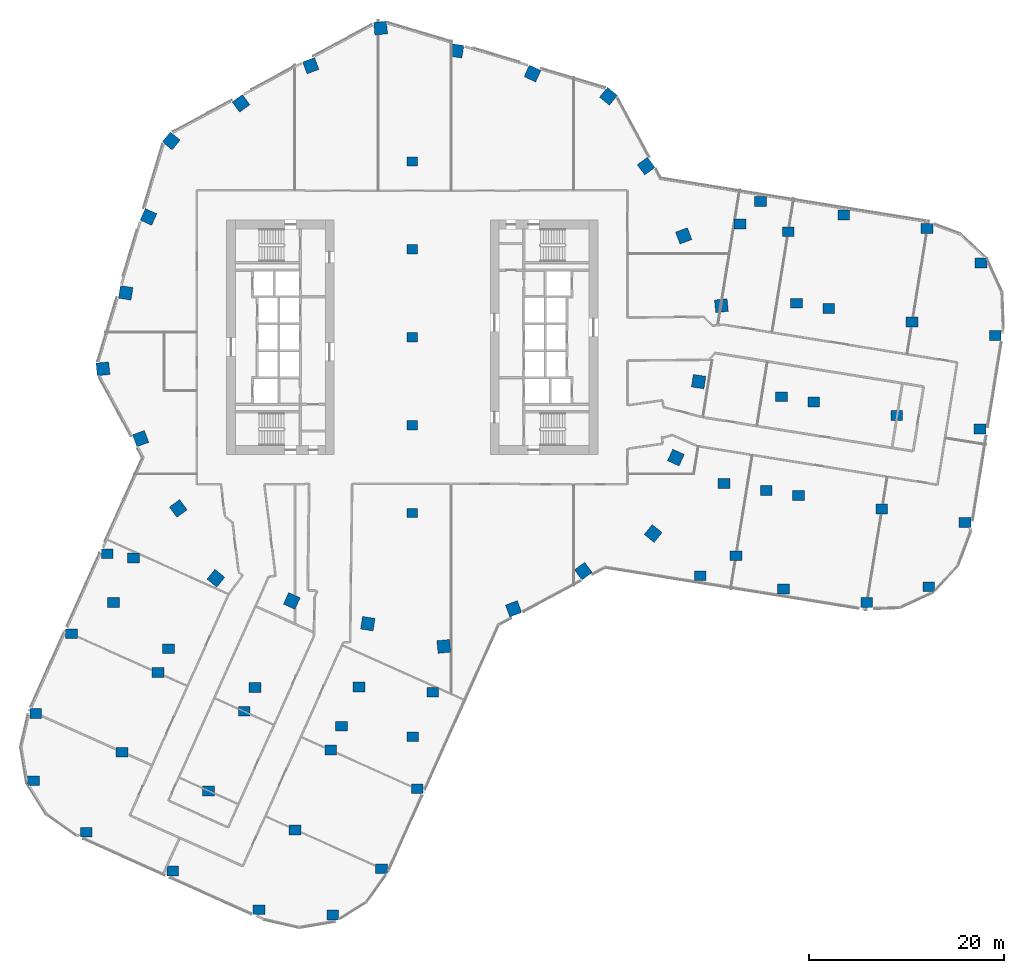
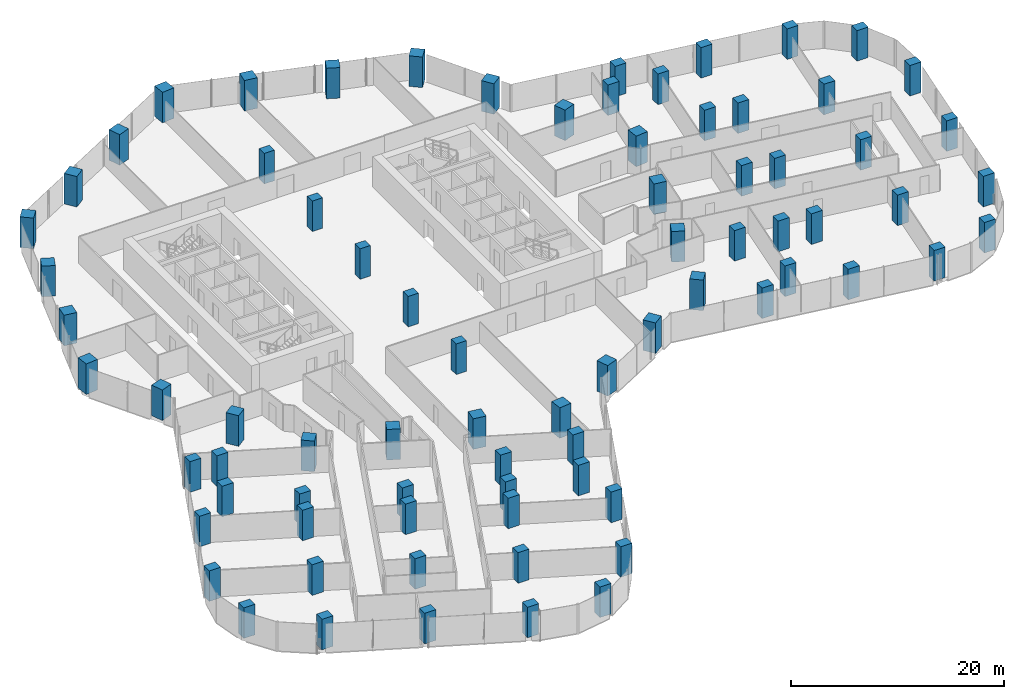
# One storey, part 1 of 34: 77 columns.
"""IFC4 building model written with IfcOpenShell, lengths in metres."""

from ifc_helpers import new_model, si_unit, direction, frame, origin, origin_2d, place, context, subcontext, project, spatial, rectangle, extrude, material, material_profile, profile_set, type_object, element, save


model = new_model("IFC4")

# Units and contexts
model_context = context("Model", 3, precision=1e-05, world=origin(), true_north=direction((0.0, 1.0)))
body_context = subcontext(model_context, "Body", "Model", "MODEL_VIEW")
ifc_project = project(units=[si_unit("LENGTHUNIT", "METRE"), si_unit("AREAUNIT", "SQUARE_METRE"), si_unit("VOLUMEUNIT", "CUBIC_METRE"), si_unit("PLANEANGLEUNIT", "RADIAN"), si_unit("MASSUNIT", "GRAM", prefix="KILO")], contexts=[model_context])

# Site, building, storey
site_placement = place(None, origin())
site = spatial("IfcSite", under=ifc_project, at=site_placement, CompositionType="ELEMENT")
building_placement = place(site_placement, origin())
building = spatial("IfcBuilding", under=site, at=building_placement, Name="Orlundy Tower", CompositionType="ELEMENT")
storey_placement = place(building_placement, frame((0.0, 0.0, 134.199951171875)))
storey = spatial("IfcBuildingStorey", under=building, at=storey_placement, Name="L34", CompositionType="ELEMENT", Elevation=134.199951171875)

# Columns
ifc_material_1 = material(Name="Concrete C80/95", Category="concrete")
ifc_material_profile_1 = material_profile(ifc_material_1, rectangle(XDim=1.10009765625, YDim=0.949951171875, at=origin_2d()), Name="RC1100X950")
ifc_profile_set_1 = profile_set([ifc_material_profile_1], Name="Concrete C80/95")
column_type_1 = type_object("IfcColumnType", Name="RC COLUMN RC1100X950 C80/95", PredefinedType="COLUMN", material=ifc_profile_set_1)
for number, where, z_axis, x_axis, name in (
    (1, (0.0, -18.0, 0.0), (0.0, 0.0, 1.0), (1.0, 0.0, 0.0), "Column C-M1 L34"),
    (2, (0.0, -9.0, 0.0), (0.0, 0.0, 1.0), (1.0, 0.0, 0.0), "Column C-M2 L34"),
    (3, (0.0, 0.0, 0.0), (0.0, 0.0, 1.0), (1.0, 0.0, 0.0), "Column C-M3 L34"),
    (4, (0.0, 9.0, 0.0), (0.0, 0.0, 1.0), (1.0, 0.0, 0.0), "Column C-M4 L34"),
    (5, (0.0, 18.0, 0.0), (0.0, 0.0, 1.0), (1.0, 0.0, 0.0), "Column C-M5 L34"),
):
    element("IfcColumn", number, at=place(storey_placement, frame(where, z_axis=z_axis, x_axis=x_axis)), inside=storey, type_object=column_type_1, Name=name, PredefinedType="COLUMN", context=body_context, shape_type="SweptSolid", body=[
        extrude(rectangle(XDim=1.10009765625, YDim=0.949951171875, at=origin_2d()), origin(), (0.0, 0.0, 1.0), 3.5),
    ])
ifc_material_2 = material(Name="Concrete C80/95", Category="concrete")
ifc_material_profile_2 = material_profile(ifc_material_2, rectangle(XDim=1.199951171875, YDim=1.0, at=origin_2d()), Name="RC1200X1000")
ifc_profile_set_2 = profile_set([ifc_material_profile_2], Name="Concrete C80/95")
column_type_2 = type_object("IfcColumnType", Name="RC COLUMN RC1200X1000 C80/95", PredefinedType="COLUMN", material=ifc_profile_set_2)
for number, where, z_axis, x_axis, name in (
    (6, (29.488037109375, -24.408935546875, 0.0), (0.0, 0.0, 1.0), (1.0, 0.0, 0.0), "Column C-A1-1 L34"),
    (7, (38.010986328125, -25.784912109375, 0.0), (0.0, 0.0, 1.0), (1.0, 0.0, 0.0), "Column C-A1-2 L34"),
    (8, (46.534912109375, -27.156005859375, 0.0), (0.0, 0.0, 1.0), (1.0, 0.0, 0.0), "Column C-A1-3 L34"),
    (9, (52.89892578125, -25.547119140625, 0.0), (0.0, 0.0, 1.0), (1.0, 0.0, 0.0), "Column C-A1-5 L34"),
    (10, (33.154052734375, -22.361083984375, 0.0), (0.0, 0.0, 1.0), (1.0, 0.0, 0.0), "Column C-A1-6 L34"),
    (11, (39.555908203125, -16.208984375, 0.0), (0.0, 0.0, 1.0), (1.0, 0.0, 0.0), "Column C-A2-2 L34"),
    (12, (48.0791015625, -17.583984375, 0.0), (0.0, 0.0, 1.0), (1.0, 0.0, 0.0), "Column C-A2-3 L34"),
    (13, (56.60302734375, -18.958984375, 0.0), (0.0, 0.0, 1.0), (1.0, 0.0, 0.0), "Column C-A2-5 L34"),
    (14, (36.26611328125, -15.677978515625, 0.0), (0.0, 0.0, 1.0), (1.0, 0.0, 0.0), "Column C-A2-6 L34"),
    (15, (31.922119140625, -14.97705078125, 0.0), (0.0, 0.0, 1.0), (1.0, 0.0, 0.0), "Column C-A2-7 L34"),
    (16, (41.10205078125, -6.632080078125, 0.0), (0.0, 0.0, 1.0), (1.0, 0.0, 0.0), "Column C-A3-2 L34"),
    (17, (49.625, -8.008056640625, 0.0), (0.0, 0.0, 1.0), (1.0, 0.0, 0.0), "Column C-A3-3 L34"),
    (18, (58.14794921875, -9.383056640625, 0.0), (0.0, 0.0, 1.0), (1.0, 0.0, 0.0), "Column C-A3-5 L34"),
    (19, (37.81103515625, -6.10107421875, 0.0), (0.0, 0.0, 1.0), (1.0, 0.0, 0.0), "Column C-A3-6 L34"),
    (20, (42.64697265625, 2.944091796875, 0.0), (0.0, 0.0, 1.0), (1.0, 0.0, 0.0), "Column C-A4-2 L34"),
    (21, (51.169921875, 1.568115234375, 0.0), (0.0, 0.0, 1.0), (1.0, 0.0, 0.0), "Column C-A4-3 L34"),
    (22, (59.693115234375, 0.193115234375, 0.0), (0.0, 0.0, 1.0), (1.0, 0.0, 0.0), "Column C-A4-5 L34"),
    (23, (39.35595703125, 3.47509765625, 0.0), (0.0, 0.0, 1.0), (1.0, 0.0, 0.0), "Column C-A4-6 L34"),
    (24, (35.6689453125, 13.89501953125, 0.0), (0.0, 0.0, 1.0), (1.0, 0.0, 0.0), "Column C-A5-1 L34"),
    (25, (44.19189453125, 12.52001953125, 0.0), (0.0, 0.0, 1.0), (1.0, 0.0, 0.0), "Column C-A5-2 L34"),
    (26, (52.715087890625, 11.139892578125, 0.0), (0.0, 0.0, 1.0), (1.0, 0.0, 0.0), "Column C-A5-3 L34"),
    (27, (58.25, 7.611083984375, 0.0), (0.0, 0.0, 1.0), (1.0, 0.0, 0.0), "Column C-A5-5 L34"),
    (28, (38.5048828125, 10.797119140625, 0.0), (0.0, 0.0, 1.0), (1.0, 0.0, 0.0), "Column C-A5-6 L34"),
    (29, (33.569091796875, 11.593994140625, 0.0), (0.0, 0.0, 1.0), (1.0, 0.0, 0.0), "Column C-A5-7 L34"),
    (30, (-31.2099609375, -22.166015625, 0.0), (0.0, 0.0, 1.0), (1.0, 0.0, 0.0), "Column C-B1-1 L34"),
    (31, (-34.881103515625, -30.345947265625, 0.0), (0.0, 0.0, 1.0), (1.0, 0.0, 0.0), "Column C-B1-2 L34"),
    (32, (-38.551025390625, -38.527099609375, 0.0), (0.0, 0.0, 1.0), (1.0, 0.0, 0.0), "Column C-B1-3 L34"),
    (33, (-38.777099609375, -45.39697265625, 0.0), (0.0, 0.0, 1.0), (1.0, 0.0, 0.0), "Column C-B1-5 L34"),
    (34, (-30.589111328125, -27.14990234375, 0.0), (0.0, 0.0, 1.0), (1.0, 0.0, 0.0), "Column C-B1-6 L34"),
    (35, (-28.5419921875, -22.587890625, 0.0), (0.0, 0.0, 1.0), (1.0, 0.0, 0.0), "Column C-B1-7 L34"),
    (36, (-26.031005859375, -34.318115234375, 0.0), (0.0, 0.0, 1.0), (1.0, 0.0, 0.0), "Column C-B2-2 L34"),
    (37, (-29.701904296875, -42.498046875, 0.0), (0.0, 0.0, 1.0), (1.0, 0.0, 0.0), "Column C-B2-3 L34"),
    (38, (-33.3720703125, -50.678955078125, 0.0), (0.0, 0.0, 1.0), (1.0, 0.0, 0.0), "Column C-B2-5 L34"),
    (39, (-24.93896484375, -31.885009765625, 0.0), (0.0, 0.0, 1.0), (1.0, 0.0, 0.0), "Column C-B2-6 L34"),
    (40, (-17.180908203125, -38.2890625, 0.0), (0.0, 0.0, 1.0), (1.0, 0.0, 0.0), "Column C-B3-2 L34"),
    (41, (-20.85205078125, -46.468994140625, 0.0), (0.0, 0.0, 1.0), (1.0, 0.0, 0.0), "Column C-B3-3 L34"),
    (42, (-24.52294921875, -54.64990234375, 0.0), (0.0, 0.0, 1.0), (1.0, 0.0, 0.0), "Column C-B3-5 L34"),
    (43, (-16.089111328125, -35.85595703125, 0.0), (0.0, 0.0, 1.0), (1.0, 0.0, 0.0), "Column C-B3-6 L34"),
    (44, (-8.3310546875, -42.260009765625, 0.0), (0.0, 0.0, 1.0), (1.0, 0.0, 0.0), "Column C-B4-2 L34"),
    (45, (-12.001953125, -50.44091796875, 0.0), (0.0, 0.0, 1.0), (1.0, 0.0, 0.0), "Column C-B4-3 L34"),
    (46, (-15.673095703125, -58.62109375, 0.0), (0.0, 0.0, 1.0), (1.0, 0.0, 0.0), "Column C-B4-5 L34"),
    (47, (-7.239013671875, -39.826904296875, 0.0), (0.0, 0.0, 1.0), (1.0, 0.0, 0.0), "Column C-B4-6 L34"),
    (48, (-5.43798828125, -35.81201171875, 0.0), (0.0, 0.0, 1.0), (1.0, 0.0, 0.0), "Column C-B4-7 L34"),
    (49, (0.51904296875, -46.23095703125, 0.0), (0.0, 0.0, 1.0), (1.0, 0.0, 0.0), "Column C-B5-2 L34"),
    (50, (-3.152099609375, -54.412109375, 0.0), (0.0, 0.0, 1.0), (1.0, 0.0, 0.0), "Column C-B5-3 L34"),
    (51, (-8.134033203125, -59.14697265625, 0.0), (0.0, 0.0, 1.0), (1.0, 0.0, 0.0), "Column C-B5-5 L34"),
    (52, (0.053955078125, -40.89990234375, 0.0), (0.0, 0.0, 1.0), (1.0, 0.0, 0.0), "Column C-B5-6 L34"),
    (53, (2.10107421875, -36.337890625, 0.0), (0.0, 0.0, 1.0), (1.0, 0.0, 0.0), "Column C-B5-7 L34"),
):
    element("IfcColumn", number, at=place(storey_placement, frame(where, z_axis=z_axis, x_axis=x_axis)), inside=storey, type_object=column_type_2, Name=name, PredefinedType="COLUMN", context=body_context, shape_type="SweptSolid", body=[
        extrude(rectangle(XDim=1.199951171875, YDim=1.0, at=origin_2d()), origin(), (0.0, 0.0, 1.0), 3.5),
    ])
ifc_material_3 = material(Name="Concrete C80/95", Category="concrete")
ifc_material_profile_3 = material_profile(ifc_material_3, rectangle(XDim=1.300048828125, YDim=1.300048828125, at=origin_2d()), Name="RC1300X1300")
ifc_profile_set_3 = profile_set([ifc_material_profile_3], Name="Concrete C80/95")
column_type_3 = type_object("IfcColumnType", Name="RC COLUMN RC1300X1300 C80/95", PredefinedType="COLUMN", material=ifc_profile_set_3)
for number, where, z_axis, x_axis, name in (
    (54, (20.097900390625, 24.672119140625, 0.0), (0.0, 0.0, 1.0), (0.631582861875, 0.775308382894, 0.0), "Column C-H01 L34"),
    (55, (23.950927734375, 17.52587890625, 0.0), (0.0, 0.0, 1.0), (0.807011849138, 0.590535244799, 0.0), "Column C-H02 L34"),
    (56, (27.803955078125, 10.3798828125, 0.0), (0.0, 0.0, 1.0), (0.936843221006, 0.349749595075, 0.0), "Column C-H03 L34"),
    (57, (31.657958984375, 3.23388671875, 0.0), (0.0, 0.0, 1.0), (0.994822339568, 0.101629290543, 0.0), "Column C-H04 L34"),
    (58, (29.3291015625, -4.54296875, 0.0), (0.0, 0.0, 1.0), (0.988215027151, -0.153072074896, 0.0), "Column C-H05 L34"),
    (59, (27.0009765625, -12.321044921875, 0.0), (0.0, 0.0, 1.0), (0.909758504877, -0.415137884087, 0.0), "Column C-H06 L34"),
    (60, (24.672119140625, -20.097900390625, 0.0), (0.0, 0.0, 1.0), (0.775308382894, -0.631582861875, 0.0), "Column C-H07 L34"),
    (61, (17.52587890625, -23.950927734375, 0.0), (0.0, 0.0, 1.0), (0.590535244799, -0.807011849138, 0.0), "Column C-H08 L34"),
    (62, (10.3798828125, -27.803955078125, 0.0), (0.0, 0.0, 1.0), (0.349749595075, -0.936843221006, 0.0), "Column C-H09 L34"),
    (63, (3.23388671875, -31.657958984375, 0.0), (0.0, 0.0, 1.0), (0.101629290543, -0.994822339568, 0.0), "Column C-H10 L34"),
    (64, (-4.54296875, -29.3291015625, 0.0), (0.0, 0.0, 1.0), (-0.153072074896, -0.988215027151, 0.0), "Column C-H11 L34"),
    (65, (-12.321044921875, -27.0009765625, 0.0), (0.0, 0.0, 1.0), (-0.415137884087, -0.909758504877, 0.0), "Column C-H12 L34"),
    (66, (-20.097900390625, -24.672119140625, 0.0), (0.0, 0.0, 1.0), (-0.631582861875, -0.775308382894, 0.0), "Column C-H13 L34"),
    (67, (-23.950927734375, -17.52587890625, 0.0), (0.0, 0.0, 1.0), (-0.807011849138, -0.590535244799, 0.0), "Column C-H14 L34"),
    (68, (-27.803955078125, -10.3798828125, 0.0), (0.0, 0.0, 1.0), (-0.936843221006, -0.349749595075, 0.0), "Column C-H15 L34"),
    (69, (-31.657958984375, -3.23388671875, 0.0), (0.0, 0.0, 1.0), (-0.994822339568, -0.101629290543, 0.0), "Column C-H16 L34"),
    (70, (-29.3291015625, 4.54296875, 0.0), (0.0, 0.0, 1.0), (-0.988215027151, 0.153072074896, 0.0), "Column C-H17 L34"),
    (71, (-27.0009765625, 12.321044921875, 0.0), (0.0, 0.0, 1.0), (-0.909758504877, 0.415137884087, 0.0), "Column C-H18 L34"),
    (72, (-24.672119140625, 20.097900390625, 0.0), (0.0, 0.0, 1.0), (-0.775308382894, 0.631582861875, 0.0), "Column C-H19 L34"),
    (73, (-17.52587890625, 23.950927734375, 0.0), (0.0, 0.0, 1.0), (-0.590535244799, 0.807011849138, 0.0), "Column C-H20 L34"),
    (74, (-10.3798828125, 27.803955078125, 0.0), (0.0, 0.0, 1.0), (-0.349749595075, 0.936843221006, 0.0), "Column C-H21 L34"),
    (75, (-3.23388671875, 31.657958984375, 0.0), (0.0, 0.0, 1.0), (-0.101629290543, 0.994822339568, 0.0), "Column C-H22 L34"),
    (76, (4.54296875, 29.3291015625, 0.0), (0.0, 0.0, 1.0), (0.153072074896, 0.988215027151, 0.0), "Column C-H23 L34"),
    (77, (12.321044921875, 27.0009765625, 0.0), (0.0, 0.0, 1.0), (0.415137884087, 0.909758504877, 0.0), "Column C-H24 L34"),
):
    element("IfcColumn", number, at=place(storey_placement, frame(where, z_axis=z_axis, x_axis=x_axis)), inside=storey, type_object=column_type_3, Name=name, PredefinedType="COLUMN", context=body_context, shape_type="SweptSolid", body=[
        extrude(rectangle(XDim=1.300048828125, YDim=1.300048828125, at=origin_2d()), origin(), (0.0, 0.0, 1.0), 3.5),
    ])

save(model, "model.ifc")
